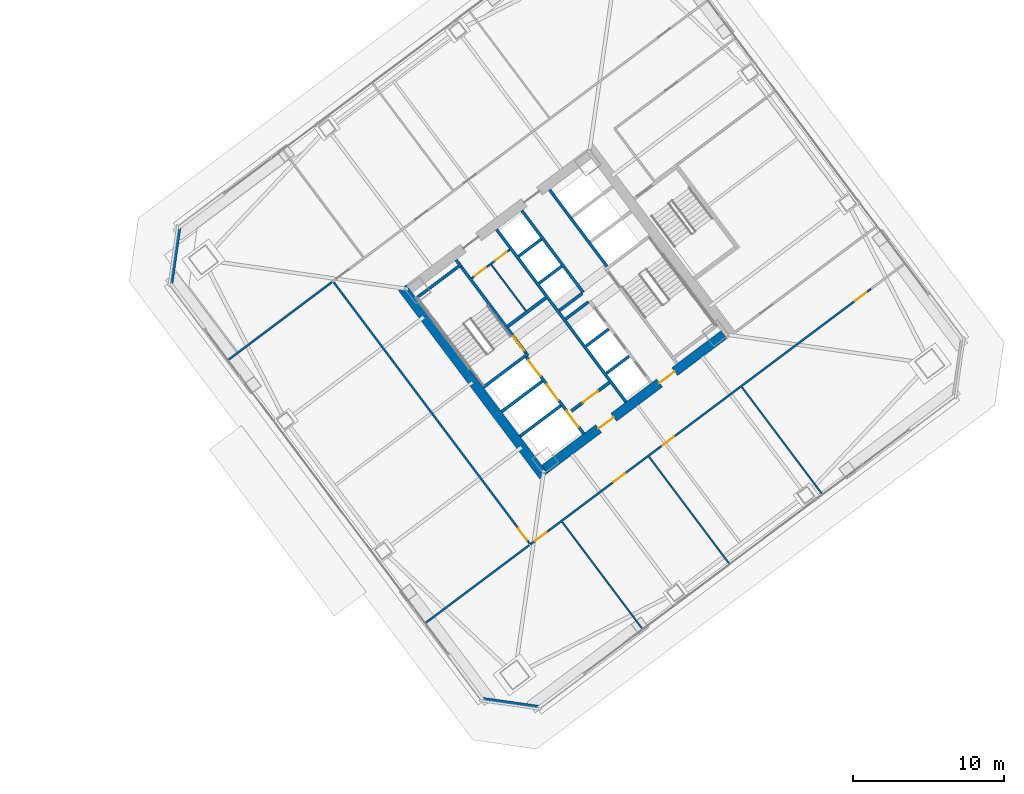
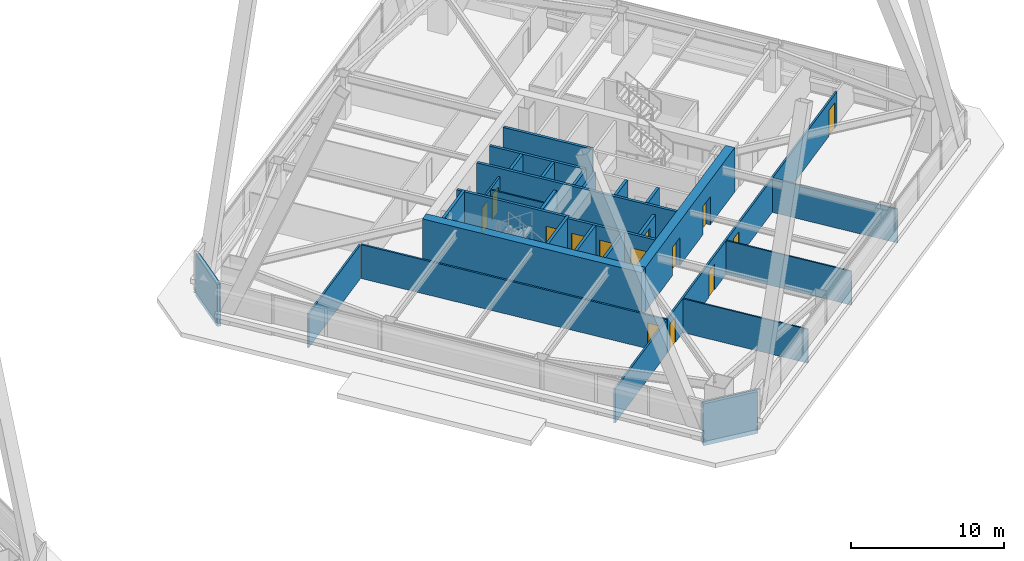
# One storey, part 58 of 67: 30 walls, 14 doors, 14 openings.
"""IFC4 building model written with IfcOpenShell, lengths in metres."""

from ifc_helpers import new_model, si_unit, direction, frame, frame_2d, origin, place, context, subcontext, project, spatial, rectangle, extrude, material, layer, layer_set, type_object, element, fill, save


model = new_model("IFC4")

# Units and contexts
model_context = context("Model", 3, precision=1e-05, world=origin(), true_north=direction((0.0, 1.0)))
body_context = subcontext(model_context, "Body", "Model", "MODEL_VIEW")
ifc_project = project(units=[si_unit("LENGTHUNIT", "METRE"), si_unit("AREAUNIT", "SQUARE_METRE"), si_unit("VOLUMEUNIT", "CUBIC_METRE"), si_unit("PLANEANGLEUNIT", "RADIAN"), si_unit("MASSUNIT", "GRAM", prefix="KILO")], contexts=[model_context])

# Site, building, storey
site_placement = place(None, origin())
site = spatial("IfcSite", under=ifc_project, at=site_placement, CompositionType="ELEMENT")
building_placement = place(site_placement, origin())
building = spatial("IfcBuilding", under=site, at=building_placement, Name="Tashvorn Skyway Center", CompositionType="ELEMENT")
storey_placement = place(building_placement, frame((0.0, 0.0, 67.199951171875)))
storey = spatial("IfcBuildingStorey", under=building, at=storey_placement, Name="L17", CompositionType="ELEMENT", Elevation=67.199951171875)

# Wall
ifc_material_1 = material(Name="Concrete C60/75", Category="concrete")
ifc_layer_1 = layer(ifc_material_1, 0.64990234375)
ifc_layer_set_1 = layer_set([ifc_layer_1], Name="Concrete C60/75")
wall_type_1 = type_object("IfcWallType", Name="WALL-CORE-650", PredefinedType="SHEAR", material=ifc_layer_set_1)
wall_1_placement = place(storey_placement, frame((112.47607421875, 21.10693359375, 0.0), z_axis=(0.0, 0.0, 1.0), x_axis=(-0.600005007985, 0.799996243986, 0.0)))
element("IfcWall", 1, at=wall_1_placement, inside=storey, type_object=wall_type_1, Name="Tower 2 L17 West Core Shear Wall", PredefinedType="SHEAR", context=body_context, shape_type="SweptSolid", body=[
    extrude(rectangle(XDim=15.60009765625, YDim=0.64990234375, at=frame_2d((7.800048828125, 0.0))), origin(), (0.0, 0.0, 1.0), 3.550048828125),
])

# Wall, openings, doors
wall_2_placement = place(storey_placement, frame((124.428955078125, 30.47802734375, 0.0), z_axis=(0.0, 0.0, 1.0), x_axis=(-0.799998028465, -0.600002628705, 0.0)))
wall_2 = element("IfcWall", 2, at=wall_2_placement, inside=storey, type_object=wall_type_1, Name="Tower 2 L17 South Core Shear Wall", PredefinedType="SHEAR", context=body_context, shape_type="SweptSolid", body=[
    extrude(rectangle(XDim=14.85986328125, YDim=0.64990234375, at=frame_2d((7.429931640625, 0.0))), origin(), (0.0, 0.0, 1.0), 3.550048828125),
])
opening_1_placement = place(wall_2_placement, frame((9.1298828125, 0.0, 0.0)))
opening_1 = element("IfcOpeningElement", 3, at=opening_1_placement, cuts=wall_2, Name="Opening D-FFL-1250", PredefinedType="OPENING", context=body_context, shape_type="SweptSolid", body=[
    extrude(rectangle(XDim=1.25, YDim=2.25, at=frame_2d((0.625, 1.125))), frame((0.0, 0.3349609375, 0.0), z_axis=(0.0, -1.0, 0.0), x_axis=(1.0, 0.0, 0.0)), (0.0, 0.0, 1.0), 0.669921875),
])
opening_2_placement = place(wall_2_placement, frame((4.080078125, 0.0, 0.0)))
opening_2 = element("IfcOpeningElement", 4, at=opening_2_placement, cuts=wall_2, Name="Opening D-FFL-1250", PredefinedType="OPENING", context=body_context, shape_type="SweptSolid", body=[
    extrude(rectangle(XDim=1.25, YDim=2.25, at=frame_2d((0.625, 1.125))), frame((0.0, 0.3349609375, 0.0), z_axis=(0.0, -1.0, 0.0), x_axis=(1.0, 0.0, 0.0)), (0.0, 0.0, 1.0), 0.669921875),
])
ifc_material_2 = material(Name="Hollow galvanized steel fire door assembly", Category="steel")
door_type_1 = type_object("IfcDoorType", Name="DOOR-FFL-1250", OperationType="NOTDEFINED", PredefinedType="DOOR", material=ifc_material_2)
door_1_placement = place(opening_1_placement, origin())
door_1 = element("IfcDoor", 5, at=door_1_placement, inside=storey, type_object=door_type_1, Name="Tower 2 L17 Core South Firefighting Exit Door", OperationType="SINGLE_SWING_LEFT", OverallHeight=2.25, OverallWidth=1.25, PredefinedType="DOOR", context=body_context, shape_type="SweptSolid", body=[
    extrude(rectangle(XDim=1.25, YDim=2.25, at=frame_2d((0.625, 1.125))), frame((0.0, 0.02490234375, 0.0), z_axis=(0.0, -1.0, 0.0), x_axis=(1.0, 0.0, 0.0)), (0.0, 0.0, 1.0), 0.050048828125),
])
fill(opening_1, door_1)
door_2_placement = place(opening_2_placement, origin())
door_2 = element("IfcDoor", 6, at=door_2_placement, inside=storey, type_object=door_type_1, Name="Tower 2 L17 Core South Lift Lobby Door", OperationType="SINGLE_SWING_RIGHT", OverallHeight=2.25, OverallWidth=1.25, PredefinedType="DOOR", context=body_context, shape_type="SweptSolid", body=[
    extrude(rectangle(XDim=1.25, YDim=2.25, at=frame_2d((0.625, 1.125))), frame((0.0, 0.02490234375, 0.0), z_axis=(0.0, -1.0, 0.0), x_axis=(1.0, 0.0, 0.0)), (0.0, 0.0, 1.0), 0.050048828125),
])
fill(opening_2, door_2)

# Walls
ifc_material_3 = material(Name="Precast concrete C40/50", Category="concrete")
ifc_layer_2 = layer(ifc_material_3, 0.280029296875)
ifc_layer_set_2 = layer_set([ifc_layer_2], Name="Precast concrete C40/50")
wall_type_2 = type_object("IfcWallType", Name="WALL-EXT-280", PredefinedType="SOLIDWALL", material=ifc_layer_set_2)
for number, where, z_axis, x_axis, name in (
    (7, (112.179931640625, 5.760009765625, 0.0), (0.0, 0.0, 1.0), (-0.989948214866, 0.141430307517, 0.0), "Tower 2 L17 SW Precast Chamfer Wall"),
    (8, (87.760009765625, 33.820068359375, 0.0), (0.0, 0.0, 1.0), (0.141430307517, 0.989948214866, 0.0), "Tower 2 L17 NW Precast Chamfer Wall"),
):
    element("IfcWall", number, at=place(storey_placement, frame(where, z_axis=z_axis, x_axis=x_axis)), inside=storey, type_object=wall_type_2, Name=name, PredefinedType="SOLIDWALL", context=body_context, shape_type="SweptSolid", body=[
        extrude(rectangle(XDim=3.818359375, YDim=0.280029296875, at=frame_2d((1.9091796875, 0.0))), origin(), (0.0, 0.0, 1.0), 3.35009765625),
    ])
ifc_material_4 = material(Name="Concrete C40/50", Category="concrete")
ifc_layer_3 = layer(ifc_material_4, 0.219970703125)
ifc_layer_set_3 = layer_set([ifc_layer_3], Name="Concrete C40/50")
wall_type_3 = type_object("IfcWallType", Name="WALL-FFL-220", PredefinedType="SOLIDWALL", material=ifc_layer_set_3)
wall_3_placement = place(storey_placement, frame((110.10400390625, 31.028076171875, 0.0), z_axis=(0.0, 0.0, 1.0), x_axis=(0.800018601094, 0.59997519774, 0.0)))
element("IfcWall", 9, at=wall_3_placement, inside=storey, type_object=wall_type_3, Name="Tower 2 L17 Firefighting Lobby North Wall", PredefinedType="SOLIDWALL", context=body_context, shape_type="SweptSolid", body=[
    extrude(rectangle(XDim=3.14990234375, YDim=0.219970703125, at=frame_2d((1.574951171875, 0.0))), origin(), (0.0, 0.0, 1.0), 2.703125),
])

# Wall, opening, door
wall_4_placement = place(storey_placement, frame((114.31591796875, 25.412109375, 0.0), z_axis=(0.0, 0.0, 1.0), x_axis=(0.800018601094, 0.59997519774, 0.0)))
wall_4 = element("IfcWall", 10, at=wall_4_placement, inside=storey, type_object=wall_type_3, Name="Tower 2 L17 Firefighting Lobby South Wall", PredefinedType="SOLIDWALL", context=body_context, shape_type="SweptSolid", body=[
    extrude(rectangle(XDim=3.14990234375, YDim=0.219970703125, at=frame_2d((1.574951171875, 0.0))), origin(), (0.0, 0.0, 1.0), 2.703125),
])
opening_3_placement = place(wall_4_placement, frame((0.949951171875, 0.0, 0.0)))
opening_3 = element("IfcOpeningElement", 11, at=opening_3_placement, cuts=wall_4, Name="Opening D-FFL-1250", PredefinedType="OPENING", context=body_context, shape_type="SweptSolid", body=[
    extrude(rectangle(XDim=1.25, YDim=2.25, at=frame_2d((0.625, 1.125))), frame((0.0, 0.119873046875, 0.0), z_axis=(0.0, -1.0, 0.0), x_axis=(1.0, 0.0, 0.0)), (0.0, 0.0, 1.0), 0.239990234375),
])
door_3_placement = place(opening_3_placement, origin())
door_3 = element("IfcDoor", 12, at=door_3_placement, inside=storey, type_object=door_type_1, Name="Tower 2 L17 Firefighting Lobby Egress Door", OperationType="SINGLE_SWING_LEFT", OverallHeight=2.25, OverallWidth=1.25, PredefinedType="DOOR", context=body_context, shape_type="SweptSolid", body=[
    extrude(rectangle(XDim=1.25, YDim=2.25, at=frame_2d((0.625, 1.125))), frame((0.0, 0.02490234375, 0.0), z_axis=(0.0, -1.0, 0.0), x_axis=(1.0, 0.0, 0.0)), (0.0, 0.0, 1.0), 0.050048828125),
])
fill(opening_3, door_3)

# Walls
ifc_material_5 = material(Name="Gypsum board on cold-formed steel stud framing", Category="steel")
ifc_layer_4 = layer(ifc_material_5, 0.110107421875)
ifc_layer_set_4 = layer_set([ifc_layer_4], Name="Gypsum board on cold-formed steel stud framing")
wall_type_4 = type_object("IfcWallType", Name="WALL-PART-110", PredefinedType="PARTITIONING", material=ifc_layer_set_4)
for number, where, z_axis, x_axis, name in (
    (13, (119.048095703125, 10.93603515625, 0.0), (0.0, 0.0, 1.0), (-0.600013167126, 0.799990124486, 0.0), "Tower 2 L17 South Suite Partition 1"),
    (14, (124.80810546875, 15.256103515625, 0.0), (0.0, 0.0, 1.0), (-0.600013167126, 0.799990124486, 0.0), "Tower 2 L17 South Suite Partition 2"),
):
    element("IfcWall", number, at=place(storey_placement, frame(where, z_axis=z_axis, x_axis=x_axis)), inside=storey, type_object=wall_type_4, Name=name, PredefinedType="PARTITIONING", context=body_context, shape_type="SweptSolid", body=[
        extrude(rectangle(XDim=8.89990234375, YDim=0.110107421875, at=frame_2d((4.449951171875, 0.0))), origin(), (0.0, 0.0, 1.0), 2.703125),
    ])
wall_5_placement = place(storey_placement, frame((130.968017578125, 19.8759765625, 0.0), z_axis=(0.0, 0.0, 1.0), x_axis=(-0.6, 0.8, 0.0)))
element("IfcWall", 15, at=wall_5_placement, inside=storey, type_object=wall_type_4, Name="Tower 2 L17 South Suite Partition 3", PredefinedType="PARTITIONING", context=body_context, shape_type="SweptSolid", body=[
    extrude(rectangle(XDim=8.900146484375, YDim=0.110107421875, at=frame_2d((4.4501953125, 0.0))), origin(), (0.0, 0.0, 1.0), 2.703125),
])

# Wall, openings, doors
ifc_layer_5 = layer(ifc_material_5, 0.135009765625)
ifc_layer_set_5 = layer_set([ifc_layer_5], Name="Gypsum board on cold-formed steel stud framing")
wall_type_5 = type_object("IfcWallType", Name="WALL-PART-135", PredefinedType="PARTITIONING", material=ifc_layer_set_5)
wall_6_placement = place(storey_placement, frame((134.179931640625, 33.510009765625, 0.0), z_axis=(0.0, 0.0, 1.0), x_axis=(-0.8, -0.6, 0.0)))
wall_6 = element("IfcWall", 16, at=wall_6_placement, inside=storey, type_object=wall_type_5, Name="Tower 2 L17 South Suite Wall", PredefinedType="PARTITIONING", context=body_context, shape_type="SweptSolid", body=[
    extrude(rectangle(XDim=28.22998046875, YDim=0.135009765625, at=frame_2d((14.114990234375, 0.0))), origin(), (0.0, 0.0, 1.0), 2.703125),
])
opening_4_placement = place(wall_6_placement, frame((26.89990234375, 0.0, 0.0)))
opening_4 = element("IfcOpeningElement", 17, at=opening_4_placement, cuts=wall_6, Name="Opening D-INT-950", PredefinedType="OPENING", context=body_context, shape_type="SweptSolid", body=[
    extrude(rectangle(XDim=0.949951171875, YDim=2.050048828125, at=frame_2d((0.47509765625, 1.02490234375))), frame((0.0, 0.077392578125, 0.0), z_axis=(0.0, -1.0, 0.0), x_axis=(1.0, 0.0, 0.0)), (0.0, 0.0, 1.0), 0.155029296875),
])
opening_5_placement = place(wall_6_placement, frame((20.398681640625, 0.0, 0.0)))
opening_5 = element("IfcOpeningElement", 18, at=opening_5_placement, cuts=wall_6, Name="Opening D-INT-950", PredefinedType="OPENING", context=body_context, shape_type="SweptSolid", body=[
    extrude(rectangle(XDim=0.949951171875, YDim=2.050048828125, at=frame_2d((0.47509765625, 1.02490234375))), frame((0.0, 0.077392578125, 0.0), z_axis=(0.0, -1.0, 0.0), x_axis=(1.0, 0.0, 0.0)), (0.0, 0.0, 1.0), 0.155029296875),
])
opening_6_placement = place(wall_6_placement, frame((16.338623046875, 0.0, 0.0)))
opening_6 = element("IfcOpeningElement", 19, at=opening_6_placement, cuts=wall_6, Name="Opening D-INT-950", PredefinedType="OPENING", context=body_context, shape_type="SweptSolid", body=[
    extrude(rectangle(XDim=0.949951171875, YDim=2.050048828125, at=frame_2d((0.47509765625, 1.02490234375))), frame((0.0, 0.077392578125, 0.0), z_axis=(0.0, -1.0, 0.0), x_axis=(1.0, 0.0, 0.0)), (0.0, 0.0, 1.0), 0.155029296875),
])
opening_7_placement = place(wall_6_placement, frame((0.3798828125, 0.0, 0.0)))
opening_7 = element("IfcOpeningElement", 20, at=opening_7_placement, cuts=wall_6, Name="Opening D-INT-950", PredefinedType="OPENING", context=body_context, shape_type="SweptSolid", body=[
    extrude(rectangle(XDim=0.949951171875, YDim=2.050048828125, at=frame_2d((0.47509765625, 1.02490234375))), frame((0.0, 0.077392578125, 0.0), z_axis=(0.0, -1.0, 0.0), x_axis=(1.0, 0.0, 0.0)), (0.0, 0.0, 1.0), 0.155029296875),
])
ifc_material_6 = material(Name="Solid-core architectural oak veneer door")
door_type_2 = type_object("IfcDoorType", Name="DOOR-INT-950", OperationType="NOTDEFINED", PredefinedType="DOOR", material=ifc_material_6)
door_4_placement = place(opening_4_placement, origin())
door_4 = element("IfcDoor", 21, at=door_4_placement, inside=storey, type_object=door_type_2, Name="Tower 2 L17 Conference Room Door", OperationType="SINGLE_SWING_LEFT", OverallHeight=2.050048828125, OverallWidth=0.949951171875, PredefinedType="DOOR", context=body_context, shape_type="SweptSolid", body=[
    extrude(rectangle(XDim=0.949951171875, YDim=2.050048828125, at=frame_2d((0.47509765625, 1.02490234375))), frame((0.0, 0.02490234375, 0.0), z_axis=(0.0, -1.0, 0.0), x_axis=(1.0, 0.0, 0.0)), (0.0, 0.0, 1.0), 0.050048828125),
])
fill(opening_4, door_4)
door_5_placement = place(opening_5_placement, origin())
door_5 = element("IfcDoor", 22, at=door_5_placement, inside=storey, type_object=door_type_2, Name="Tower 2 L17 Boardroom Door", OperationType="SINGLE_SWING_RIGHT", OverallHeight=2.050048828125, OverallWidth=0.949951171875, PredefinedType="DOOR", context=body_context, shape_type="SweptSolid", body=[
    extrude(rectangle(XDim=0.949951171875, YDim=2.050048828125, at=frame_2d((0.47509765625, 1.02490234375))), frame((0.0, 0.02490234375, 0.0), z_axis=(0.0, -1.0, 0.0), x_axis=(1.0, 0.0, 0.0)), (0.0, 0.0, 1.0), 0.050048828125),
])
fill(opening_5, door_5)
door_6_placement = place(opening_6_placement, origin())
door_6 = element("IfcDoor", 23, at=door_6_placement, inside=storey, type_object=door_type_2, Name="Tower 2 L17 Boardroom Door", OperationType="SINGLE_SWING_LEFT", OverallHeight=2.050048828125, OverallWidth=0.949951171875, PredefinedType="DOOR", context=body_context, shape_type="SweptSolid", body=[
    extrude(rectangle(XDim=0.949951171875, YDim=2.050048828125, at=frame_2d((0.47509765625, 1.02490234375))), frame((0.0, 0.02490234375, 0.0), z_axis=(0.0, -1.0, 0.0), x_axis=(1.0, 0.0, 0.0)), (0.0, 0.0, 1.0), 0.050048828125),
])
fill(opening_6, door_6)
door_7_placement = place(opening_7_placement, origin())
door_7 = element("IfcDoor", 24, at=door_7_placement, inside=storey, type_object=door_type_2, Name="Tower 2 L17 Catering Pantry Door", OperationType="SINGLE_SWING_RIGHT", OverallHeight=2.050048828125, OverallWidth=0.949951171875, PredefinedType="DOOR", context=body_context, shape_type="SweptSolid", body=[
    extrude(rectangle(XDim=0.949951171875, YDim=2.050048828125, at=frame_2d((0.47509765625, 1.02490234375))), frame((0.0, 0.02490234375, 0.0), z_axis=(0.0, -1.0, 0.0), x_axis=(1.0, 0.0, 0.0)), (0.0, 0.0, 1.0), 0.050048828125),
])
fill(opening_7, door_7)

# Wall, opening, door
wall_7_placement = place(storey_placement, frame((111.548095703125, 16.635986328125, 0.0), z_axis=(0.0, 0.0, 1.0), x_axis=(-0.600003610192, 0.799997292343, 0.0)))
wall_7 = element("IfcWall", 25, at=wall_7_placement, inside=storey, type_object=wall_type_5, Name="Tower 2 L17 West Inner Suite Wall", PredefinedType="PARTITIONING", context=body_context, shape_type="SweptSolid", body=[
    extrude(rectangle(XDim=21.64013671875, YDim=0.135009765625, at=frame_2d((10.820068359375, 0.0))), origin(), (0.0, 0.0, 1.0), 2.703125),
])
opening_8_placement = place(wall_7_placement, frame((0.300048828125, 0.0, 0.0)))
opening_8 = element("IfcOpeningElement", 26, at=opening_8_placement, cuts=wall_7, Name="Opening D-INT-950", PredefinedType="OPENING", context=body_context, shape_type="SweptSolid", body=[
    extrude(rectangle(XDim=0.949951171875, YDim=2.050048828125, at=frame_2d((0.47509765625, 1.02490234375))), frame((0.0, 0.077392578125, 0.0), z_axis=(0.0, -1.0, 0.0), x_axis=(1.0, 0.0, 0.0)), (0.0, 0.0, 1.0), 0.155029296875),
])
door_8_placement = place(opening_8_placement, origin())
door_8 = element("IfcDoor", 27, at=door_8_placement, inside=storey, type_object=door_type_2, Name="Tower 2 L17 Catering Pantry Door", OperationType="SINGLE_SWING_LEFT", OverallHeight=2.050048828125, OverallWidth=0.949951171875, PredefinedType="DOOR", context=body_context, shape_type="SweptSolid", body=[
    extrude(rectangle(XDim=0.949951171875, YDim=2.050048828125, at=frame_2d((0.47509765625, 1.02490234375))), frame((0.0, 0.02490234375, 0.0), z_axis=(0.0, -1.0, 0.0), x_axis=(1.0, 0.0, 0.0)), (0.0, 0.0, 1.0), 0.050048828125),
])
fill(opening_8, door_8)

# Walls
wall_8_placement = place(storey_placement, frame((98.451904296875, 33.964111328125, 0.0), z_axis=(0.0, 0.0, 1.0), x_axis=(-0.799993202584, -0.600009063115, 0.0)))
element("IfcWall", 28, at=wall_8_placement, inside=storey, type_object=wall_type_5, Name="Tower 2 L17 West Suite North Wall", PredefinedType="PARTITIONING", context=body_context, shape_type="SweptSolid", body=[
    extrude(rectangle(XDim=8.6201171875, YDim=0.135009765625, at=frame_2d((4.31005859375, 0.0))), origin(), (0.0, 0.0, 1.0), 2.703125),
])
wall_9_placement = place(storey_placement, frame((104.635986328125, 11.35205078125, 0.0), z_axis=(0.0, 0.0, 1.0), x_axis=(0.800006797429, 0.599990936654, 0.0)))
element("IfcWall", 29, at=wall_9_placement, inside=storey, type_object=wall_type_5, Name="Tower 2 L17 West Suite South Wall", PredefinedType="PARTITIONING", context=body_context, shape_type="SweptSolid", body=[
    extrude(rectangle(XDim=8.619873046875, YDim=0.135009765625, at=frame_2d((4.31005859375, 0.0))), origin(), (0.0, 0.0, 1.0), 2.703125),
])
ifc_layer_6 = layer(ifc_material_5, 0.110107421875)
ifc_layer_set_6 = layer_set([ifc_layer_6], Name="Gypsum board on cold-formed steel stud framing")
wall_type_6 = type_object("IfcWallType", Name="WALL-RATED-110", PredefinedType="PARTITIONING", material=ifc_layer_set_6)
wall_10_placement = place(storey_placement, frame((111.2958984375, 32.072021484375, 0.0), z_axis=(0.0, 0.0, 1.0), x_axis=(-0.59995887973, 0.800030838552, 0.0)))
element("IfcWall", 30, at=wall_10_placement, inside=storey, type_object=wall_type_6, Name="Tower 2 L17 Core Split Partition", PredefinedType="PARTITIONING", context=body_context, shape_type="SweptSolid", body=[
    extrude(rectangle(XDim=3.7998046875, YDim=0.110107421875, at=frame_2d((1.89990234375, 0.0))), origin(), (0.0, 0.0, 1.0), 2.703125),
])

# Wall, openings, doors
ifc_layer_7 = layer(ifc_material_5, 0.135009765625)
ifc_layer_set_7 = layer_set([ifc_layer_7], Name="Gypsum board on cold-formed steel stud framing")
wall_type_7 = type_object("IfcWallType", Name="WALL-RATED-135", PredefinedType="PARTITIONING", material=ifc_layer_set_7)
wall_11_placement = place(storey_placement, frame((107.7099609375, 34.219970703125, 0.0), z_axis=(0.0, 0.0, 1.0), x_axis=(0.799981399002, 0.60002480053, 0.0)))
wall_11 = element("IfcWall", 31, at=wall_11_placement, inside=storey, type_object=wall_type_7, Name="Tower 2 L17 Core Service Lobby Wall", PredefinedType="PARTITIONING", context=body_context, shape_type="SweptSolid", body=[
    extrude(rectangle(XDim=3.150146484375, YDim=0.135009765625, at=frame_2d((1.5751953125, 0.0))), origin(), (0.0, 0.0, 1.0), 2.703125),
])
opening_9_placement = place(wall_11_placement, frame((0.25, 0.0, 0.0)))
opening_9 = element("IfcOpeningElement", 32, at=opening_9_placement, cuts=wall_11, Name="Opening D-RT-950", PredefinedType="OPENING", context=body_context, shape_type="SweptSolid", body=[
    extrude(rectangle(XDim=0.949951171875, YDim=2.050048828125, at=frame_2d((0.47509765625, 1.02490234375))), frame((0.0, 0.077392578125, 0.0), z_axis=(0.0, -1.0, 0.0), x_axis=(1.0, 0.0, 0.0)), (0.0, 0.0, 1.0), 0.155029296875),
])
opening_10_placement = place(wall_11_placement, frame((1.949951171875, 0.0, 0.0)))
opening_10 = element("IfcOpeningElement", 33, at=opening_10_placement, cuts=wall_11, Name="Opening D-RT-950", PredefinedType="OPENING", context=body_context, shape_type="SweptSolid", body=[
    extrude(rectangle(XDim=0.949951171875, YDim=2.050048828125, at=frame_2d((0.47509765625, 1.02490234375))), frame((0.0, 0.077392578125, 0.0), z_axis=(0.0, -1.0, 0.0), x_axis=(1.0, 0.0, 0.0)), (0.0, 0.0, 1.0), 0.155029296875),
])
door_type_3 = type_object("IfcDoorType", Name="DOOR-RATED-950", OperationType="NOTDEFINED", PredefinedType="DOOR", material=ifc_material_2)
door_9_placement = place(opening_9_placement, origin())
door_9 = element("IfcDoor", 34, at=door_9_placement, inside=storey, type_object=door_type_3, Name="Tower 2 L17 Core Accessible WC Door", OperationType="SINGLE_SWING_LEFT", OverallHeight=2.050048828125, OverallWidth=0.949951171875, PredefinedType="DOOR", context=body_context, shape_type="SweptSolid", body=[
    extrude(rectangle(XDim=0.949951171875, YDim=2.050048828125, at=frame_2d((0.47509765625, 1.02490234375))), frame((0.0, 0.02490234375, 0.0), z_axis=(0.0, -1.0, 0.0), x_axis=(1.0, 0.0, 0.0)), (0.0, 0.0, 1.0), 0.050048828125),
])
fill(opening_9, door_9)
door_10_placement = place(opening_10_placement, origin())
door_10 = element("IfcDoor", 35, at=door_10_placement, inside=storey, type_object=door_type_3, Name="Tower 2 L17 Core Cleaner Store Door", OperationType="SINGLE_SWING_RIGHT", OverallHeight=2.050048828125, OverallWidth=0.949951171875, PredefinedType="DOOR", context=body_context, shape_type="SweptSolid", body=[
    extrude(rectangle(XDim=0.949951171875, YDim=2.050048828125, at=frame_2d((0.47509765625, 1.02490234375))), frame((0.0, 0.02490234375, 0.0), z_axis=(0.0, -1.0, 0.0), x_axis=(1.0, 0.0, 0.0)), (0.0, 0.0, 1.0), 0.050048828125),
])
fill(opening_10, door_10)

# Walls
ifc_layer_8 = layer(ifc_material_4, 0.199951171875)
ifc_layer_set_8 = layer_set([ifc_layer_8], Name="Concrete C40/50")
wall_type_8 = type_object("IfcWallType", Name="WALL-SHAFT-200", PredefinedType="SOLIDWALL", material=ifc_layer_set_8)
for number, where, z_axis, x_axis, name in (
    (36, (110.906005859375, 23.741943359375, 0.0), (0.0, 0.0, 1.0), (0.8, 0.6, 0.0), "Tower 2 L17 FSAE Shaft Divider"),
    (37, (109.68798828125, 25.365966796875, 0.0), (0.0, 0.0, 1.0), (0.8, 0.6, 0.0), "Tower 2 L17 FSAE Shaft Divider"),
):
    element("IfcWall", number, at=place(storey_placement, frame(where, z_axis=z_axis, x_axis=x_axis)), inside=storey, type_object=wall_type_8, Name=name, PredefinedType="SOLIDWALL", context=body_context, shape_type="SweptSolid", body=[
        extrude(rectangle(XDim=3.380126953125, YDim=0.199951171875, at=frame_2d((1.68994140625, 0.0))), origin(), (0.0, 0.0, 1.0), 3.35009765625),
    ])
wall_12_placement = place(storey_placement, frame((116.64599609375, 27.922119140625, 0.0), z_axis=(0.0, 0.0, 1.0), x_axis=(0.8, 0.6, 0.0)))
element("IfcWall", 38, at=wall_12_placement, inside=storey, type_object=wall_type_8, Name="Tower 2 L17 Low-Rise Shaft Divider", PredefinedType="SOLIDWALL", context=body_context, shape_type="SweptSolid", body=[
    extrude(rectangle(XDim=1.8798828125, YDim=0.199951171875, at=frame_2d((0.93994140625, 0.0))), origin(), (0.0, 0.0, 1.0), 3.35009765625),
])
wall_13_placement = place(storey_placement, frame((115.2958984375, 29.721923828125, 0.0), z_axis=(0.0, 0.0, 1.0), x_axis=(0.799984418148, 0.600020775241, 0.0)))
element("IfcWall", 39, at=wall_13_placement, inside=storey, type_object=wall_type_8, Name="Tower 2 L17 Low-Rise Shaft Divider", PredefinedType="SOLIDWALL", context=body_context, shape_type="SweptSolid", body=[
    extrude(rectangle(XDim=1.880126953125, YDim=0.199951171875, at=frame_2d((0.93994140625, 0.0))), origin(), (0.0, 0.0, 1.0), 3.35009765625),
])
wall_14_placement = place(storey_placement, frame((113.946044921875, 31.52197265625, 0.0), z_axis=(0.0, 0.0, 1.0), x_axis=(0.8, 0.6, 0.0)))
element("IfcWall", 40, at=wall_14_placement, inside=storey, type_object=wall_type_8, Name="Tower 2 L17 Low-Rise Shaft Divider", PredefinedType="SOLIDWALL", context=body_context, shape_type="SweptSolid", body=[
    extrude(rectangle(XDim=1.8798828125, YDim=0.199951171875, at=frame_2d((0.93994140625, 0.0))), origin(), (0.0, 0.0, 1.0), 3.35009765625),
])
wall_15_placement = place(storey_placement, frame((115.110107421875, 33.27001953125, 0.0), z_axis=(0.0, 0.0, 1.0), x_axis=(-0.600011488909, 0.79999138319, 0.0)))
element("IfcWall", 41, at=wall_15_placement, inside=storey, type_object=wall_type_8, Name="Tower 2 L17 Mid-Rise Core Wall", PredefinedType="SOLIDWALL", context=body_context, shape_type="SweptSolid", body=[
    extrude(rectangle(XDim=6.800048828125, YDim=0.199951171875, at=frame_2d((3.39990234375, 0.0))), origin(), (0.0, 0.0, 1.0), 3.35009765625),
])
wall_16_placement = place(storey_placement, frame((113.52587890625, 32.08203125, 0.0), z_axis=(0.0, 0.0, 1.0), x_axis=(0.800046745961, 0.599937666993, 0.0)))
element("IfcWall", 42, at=wall_16_placement, inside=storey, type_object=wall_type_8, Name="Tower 2 L17 Mid-Rise Shaft Divider", PredefinedType="SOLIDWALL", context=body_context, shape_type="SweptSolid", body=[
    extrude(rectangle(XDim=1.880126953125, YDim=0.199951171875, at=frame_2d((0.93994140625, 0.0))), origin(), (0.0, 0.0, 1.0), 3.35009765625),
])
wall_17_placement = place(storey_placement, frame((112.176025390625, 33.882080078125, 0.0), z_axis=(0.0, 0.0, 1.0), x_axis=(0.8, 0.6, 0.0)))
element("IfcWall", 43, at=wall_17_placement, inside=storey, type_object=wall_type_8, Name="Tower 2 L17 Mid-Rise Shaft Divider", PredefinedType="SOLIDWALL", context=body_context, shape_type="SweptSolid", body=[
    extrude(rectangle(XDim=1.8798828125, YDim=0.199951171875, at=frame_2d((0.93994140625, 0.0))), origin(), (0.0, 0.0, 1.0), 3.35009765625),
])
wall_18_placement = place(storey_placement, frame((110.825927734375, 35.681884765625, 0.0), z_axis=(0.0, 0.0, 1.0), x_axis=(0.799984418148, 0.600020775241, 0.0)))
element("IfcWall", 44, at=wall_18_placement, inside=storey, type_object=wall_type_8, Name="Tower 2 L17 Mid-Rise Shaft Divider", PredefinedType="SOLIDWALL", context=body_context, shape_type="SweptSolid", body=[
    extrude(rectangle(XDim=1.880126953125, YDim=0.199951171875, at=frame_2d((0.93994140625, 0.0))), origin(), (0.0, 0.0, 1.0), 3.35009765625),
])

# Wall, opening, door
ifc_layer_9 = layer(ifc_material_4, 0.199951171875)
ifc_layer_set_9 = layer_set([ifc_layer_9], Name="Concrete C40/50")
wall_type_9 = type_object("IfcWallType", Name="WALL-STSHF-200", PredefinedType="SHEAR", material=ifc_layer_set_9)
wall_19_placement = place(storey_placement, frame((111.43994140625, 29.080078125, 0.0), z_axis=(0.0, 0.0, 1.0), x_axis=(-0.600009827119, 0.799992629566, 0.0)))
wall_19 = element("IfcWall", 45, at=wall_19_placement, inside=storey, type_object=wall_type_9, Name="Tower 2 L17 Stair 1 Enclosure Wall", PredefinedType="SHEAR", context=body_context, shape_type="SweptSolid", body=[
    extrude(rectangle(XDim=7.949951171875, YDim=0.199951171875, at=frame_2d((3.97509765625, 0.0))), origin(), (0.0, 0.0, 1.0), 3.35009765625),
])
opening_11_placement = place(wall_19_placement, frame((0.449951171875, 0.0, 0.0)))
opening_11 = element("IfcOpeningElement", 46, at=opening_11_placement, cuts=wall_19, Name="Opening D-ST-1150", PredefinedType="OPENING", context=body_context, shape_type="SweptSolid", body=[
    extrude(rectangle(XDim=1.14990234375, YDim=2.199951171875, at=frame_2d((0.574951171875, 1.10009765625))), frame((0.0, 0.10986328125, 0.0), z_axis=(0.0, -1.0, 0.0), x_axis=(1.0, 0.0, 0.0)), (0.0, 0.0, 1.0), 0.219970703125),
])
door_type_4 = type_object("IfcDoorType", Name="DOOR-STAIR-1150", OperationType="NOTDEFINED", PredefinedType="DOOR", material=ifc_material_2)
door_11_placement = place(opening_11_placement, origin())
door_11 = element("IfcDoor", 47, at=door_11_placement, inside=storey, type_object=door_type_4, Name="Tower 2 L17 Exit Stair 1 Door", OperationType="SINGLE_SWING_RIGHT", OverallHeight=2.199951171875, OverallWidth=1.14990234375, PredefinedType="DOOR", context=body_context, shape_type="SweptSolid", body=[
    extrude(rectangle(XDim=1.14990234375, YDim=2.199951171875, at=frame_2d((0.574951171875, 1.10009765625))), frame((0.0, 0.02490234375, 0.0), z_axis=(0.0, -1.0, 0.0), x_axis=(1.0, 0.0, 0.0)), (0.0, 0.0, 1.0), 0.050048828125),
])
fill(opening_11, door_11)

# Walls
for number, where, z_axis, x_axis, name in (
    (48, (108.47607421875, 26.98193359375, 0.0), (0.0, 0.0, 1.0), (0.799984290658, 0.600020945218, 0.0), "Tower 2 L17 Stair 1 South Wall"),
    (49, (104.035888671875, 32.902099609375, 0.0), (0.0, 0.0, 1.0), (0.800039270442, 0.59994763584, 0.0), "Tower 2 L17 Stair 1 North Wall"),
):
    element("IfcWall", number, at=place(storey_placement, frame(where, z_axis=z_axis, x_axis=x_axis)), inside=storey, type_object=wall_type_9, Name=name, PredefinedType="SHEAR", context=body_context, shape_type="SweptSolid", body=[
        extrude(rectangle(XDim=3.72998046875, YDim=0.199951171875, at=frame_2d((1.864990234375, 0.0))), origin(), (0.0, 0.0, 1.0), 3.35009765625),
    ])
wall_20_placement = place(storey_placement, frame((117.93798828125, 26.01611328125, 0.0), z_axis=(0.0, 0.0, 1.0), x_axis=(-0.600005463273, 0.799995902516, 0.0)))
element("IfcWall", 50, at=wall_20_placement, inside=storey, type_object=wall_type_9, Name="Tower 2 L17 Firefighting Lobby East Smoke Barrier", PredefinedType="SHEAR", context=body_context, shape_type="SweptSolid", body=[
    extrude(rectangle(XDim=14.300048828125, YDim=0.199951171875, at=frame_2d((7.14990234375, 0.0))), origin(), (0.0, 0.0, 1.0), 3.35009765625),
])

# Wall, openings, doors
wall_21_placement = place(storey_placement, frame((115.1298828125, 23.909912109375, 0.0), z_axis=(0.0, 0.0, 1.0), x_axis=(-0.599975393228, 0.800018454488, 0.0)))
wall_21 = element("IfcWall", 51, at=wall_21_placement, inside=storey, type_object=wall_type_9, Name="Tower 2 L17 FSAE and Goods Shaft Front Wall", PredefinedType="SHEAR", context=body_context, shape_type="SweptSolid", body=[
    extrude(rectangle(XDim=6.349853515625, YDim=0.199951171875, at=frame_2d((3.1748046875, 0.0))), origin(), (0.0, 0.0, 1.0), 3.35009765625),
])
opening_12_placement = place(wall_21_placement, frame((4.77490234375, 0.0, 0.0)))
opening_12 = element("IfcOpeningElement", 52, at=opening_12_placement, cuts=wall_21, Name="Opening LD-FF-T2-1-L17", PredefinedType="OPENING", context=body_context, shape_type="SweptSolid", body=[
    extrude(rectangle(XDim=1.300048828125, YDim=2.25, at=frame_2d((0.64990234375, 1.125))), frame((0.0, 0.10986328125, 0.0), z_axis=(0.0, -1.0, 0.0), x_axis=(1.0, 0.0, 0.0)), (0.0, 0.0, 1.0), 0.219970703125),
])
opening_13_placement = place(wall_21_placement, frame((2.77490234375, 0.0, 0.0)))
opening_13 = element("IfcOpeningElement", 53, at=opening_13_placement, cuts=wall_21, Name="Opening LD-FF-T2-2-L17", PredefinedType="OPENING", context=body_context, shape_type="SweptSolid", body=[
    extrude(rectangle(XDim=1.300048828125, YDim=2.25, at=frame_2d((0.64990234375, 1.125))), frame((0.0, 0.10986328125, 0.0), z_axis=(0.0, -1.0, 0.0), x_axis=(1.0, 0.0, 0.0)), (0.0, 0.0, 1.0), 0.219970703125),
])
opening_14_placement = place(wall_21_placement, frame((0.574951171875, 0.0, 0.0)))
opening_14 = element("IfcOpeningElement", 54, at=opening_14_placement, cuts=wall_21, Name="Opening LD-GD-T2-1-L17", PredefinedType="OPENING", context=body_context, shape_type="SweptSolid", body=[
    extrude(rectangle(XDim=1.300048828125, YDim=2.25, at=frame_2d((0.64990234375, 1.125))), frame((0.0, 0.10986328125, 0.0), z_axis=(0.0, -1.0, 0.0), x_axis=(1.0, 0.0, 0.0)), (0.0, 0.0, 1.0), 0.219970703125),
])
ifc_material_7 = material(Name="Stainless steel heavy-duty landing door", Category="steel")
door_type_5 = type_object("IfcDoorType", Name="DOOR-LIFT-1300", OperationType="SLIDING_TO_LEFT", PredefinedType="DOOR", material=ifc_material_7)
door_12_placement = place(opening_12_placement, origin())
door_12 = element("IfcDoor", 55, at=door_12_placement, inside=storey, type_object=door_type_5, Name="Lift FF-T2-1 L17 Landing Door", OperationType="SLIDING_TO_LEFT", OverallHeight=2.25, OverallWidth=1.300048828125, PredefinedType="DOOR", context=body_context, shape_type="SweptSolid", body=[
    extrude(rectangle(XDim=1.300048828125, YDim=2.25, at=frame_2d((0.64990234375, 1.125))), frame((0.0, 0.02490234375, 0.0), z_axis=(0.0, -1.0, 0.0), x_axis=(1.0, 0.0, 0.0)), (0.0, 0.0, 1.0), 0.050048828125),
])
fill(opening_12, door_12)
door_13_placement = place(opening_13_placement, origin())
door_13 = element("IfcDoor", 56, at=door_13_placement, inside=storey, type_object=door_type_5, Name="Lift FF-T2-2 L17 Landing Door", OperationType="SLIDING_TO_LEFT", OverallHeight=2.25, OverallWidth=1.300048828125, PredefinedType="DOOR", context=body_context, shape_type="SweptSolid", body=[
    extrude(rectangle(XDim=1.300048828125, YDim=2.25, at=frame_2d((0.64990234375, 1.125))), frame((0.0, 0.02490234375, 0.0), z_axis=(0.0, -1.0, 0.0), x_axis=(1.0, 0.0, 0.0)), (0.0, 0.0, 1.0), 0.050048828125),
])
fill(opening_13, door_13)
door_14_placement = place(opening_14_placement, origin())
door_14 = element("IfcDoor", 57, at=door_14_placement, inside=storey, type_object=door_type_5, Name="Lift GD-T2-1 L17 Landing Door", OperationType="SLIDING_TO_LEFT", OverallHeight=2.25, OverallWidth=1.300048828125, PredefinedType="DOOR", context=body_context, shape_type="SweptSolid", body=[
    extrude(rectangle(XDim=1.300048828125, YDim=2.25, at=frame_2d((0.64990234375, 1.125))), frame((0.0, 0.02490234375, 0.0), z_axis=(0.0, -1.0, 0.0), x_axis=(1.0, 0.0, 0.0)), (0.0, 0.0, 1.0), 0.050048828125),
])
fill(opening_14, door_14)

# Wall
wall_22_placement = place(storey_placement, frame((112.8701171875, 40.090087890625, 0.0), z_axis=(0.0, 0.0, 1.0), x_axis=(0.599975393228, -0.800018454488, 0.0)))
element("IfcWall", 58, at=wall_22_placement, inside=storey, type_object=wall_type_9, Name="Tower 2 L17 High-Rise Lift Shaft Front Wall", PredefinedType="SHEAR", context=body_context, shape_type="SweptSolid", body=[
    extrude(rectangle(XDim=6.349853515625, YDim=0.199951171875, at=frame_2d((3.1748046875, 0.0))), origin(), (0.0, 0.0, 1.0), 3.35009765625),
])

save(model, "model.ifc")
